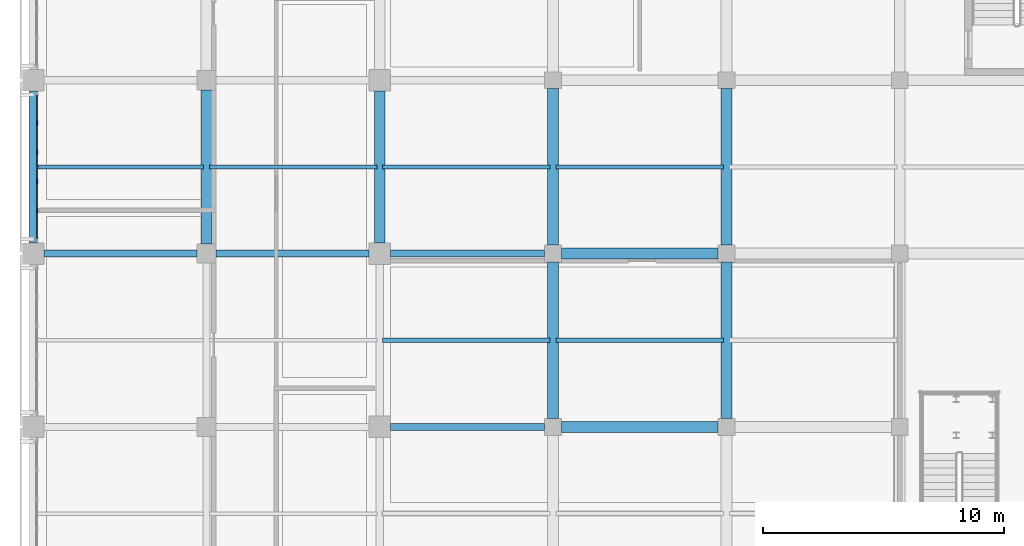
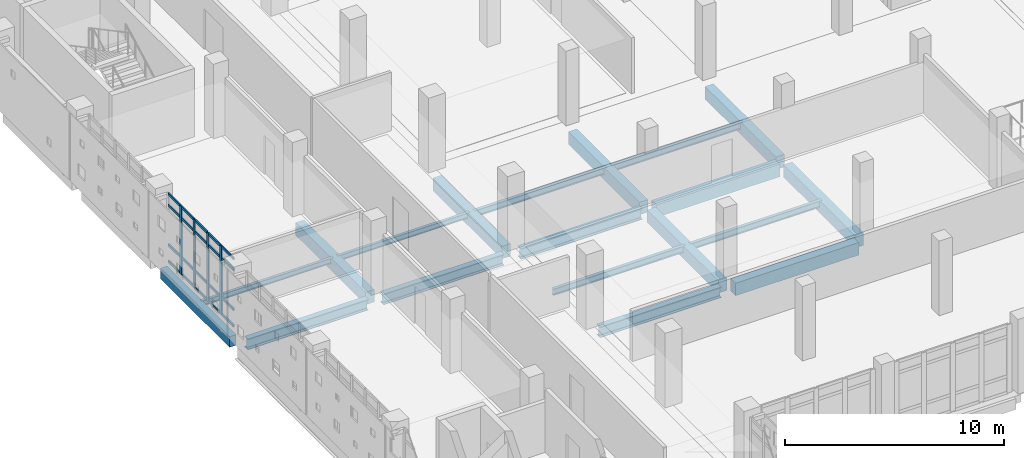
# One storey, part 8 of 57: 24 members, 19 beams, 1 element without a shape of its own.
"""IFC4 building model written with IfcOpenShell, lengths in metres."""

from ifc_helpers import new_model, si_unit, direction, frame, origin, origin_2d, place, context, subcontext, project, spatial, rectangle, i_section, extrude, material, layer, layer_set, material_profile, profile_set, type_object, element, aggregate, save


model = new_model("IFC4")

# Units and contexts
model_context = context("Model", 3, precision=1e-05, world=origin(), true_north=direction((0.0, 1.0)))
body_context = subcontext(model_context, "Body", "Model", "MODEL_VIEW")
ifc_project = project(units=[si_unit("LENGTHUNIT", "METRE"), si_unit("AREAUNIT", "SQUARE_METRE"), si_unit("VOLUMEUNIT", "CUBIC_METRE"), si_unit("PLANEANGLEUNIT", "RADIAN"), si_unit("MASSUNIT", "GRAM", prefix="KILO")], contexts=[model_context])

# Site, building, storey
site_placement = place(None, origin())
site = spatial("IfcSite", under=ifc_project, at=site_placement, CompositionType="ELEMENT")
building_placement = place(site_placement, origin())
building = spatial("IfcBuilding", under=site, at=building_placement, Name="Valkovuoma Quantum and Materials Research Institute", CompositionType="ELEMENT")
storey_placement = place(building_placement, frame((0.0, 0.0, 4.800048828125)))
storey = spatial("IfcBuildingStorey", under=building, at=storey_placement, Name="L01", CompositionType="ELEMENT", Elevation=4.800048828125)

# Beams
ifc_material_1 = material(Name="Steel S355J2", Category="steel")
ifc_material_profile_1 = material_profile(ifc_material_1, i_section(OverallWidth=0.300048828125, OverallDepth=0.60009765625, WebThickness=0.015380859375, FlangeThickness=0.030029296875, FilletRadius=0.027099609375, at=origin_2d()), Name="Steel S355J2")
ifc_profile_set_1 = profile_set([ifc_material_profile_1], Name="Steel S355J2")
beam_type_1 = type_object("IfcBeamType", Name="Beam-B-HEB600", PredefinedType="BEAM", material=ifc_profile_set_1)
beam_1_placement = place(storey_placement, frame((14.85009765625, 50.39990234375, -0.650146484375), z_axis=(1.0, 0.0, 0.0), x_axis=(0.0, 1.0, 0.0)))
element("IfcBeam", 1, at=beam_1_placement, inside=storey, type_object=beam_type_1, Name="L01 beam X-0599", PredefinedType="BEAM", context=body_context, shape_type="SweptSolid", body=[
    extrude(i_section(OverallWidth=0.300048828125, OverallDepth=0.60009765625, WebThickness=0.015380859375, FlangeThickness=0.030029296875, FilletRadius=0.027099609375, at=origin_2d()), origin(), (0.0, 0.0, 1.0), 6.39990234375),
])
beam_2_placement = place(storey_placement, frame((0.449951171875, 57.60009765625, -0.650146484375), z_axis=(1.0, 0.0, 0.0), x_axis=(0.0, 1.0, 0.0)))
element("IfcBeam", 2, at=beam_2_placement, inside=storey, type_object=beam_type_1, Name="L01 beam X-0608", PredefinedType="BEAM", context=body_context, shape_type="SweptSolid", body=[
    extrude(i_section(OverallWidth=0.300048828125, OverallDepth=0.60009765625, WebThickness=0.015380859375, FlangeThickness=0.030029296875, FilletRadius=0.027099609375, at=origin_2d()), origin(), (0.0, 0.0, 1.0), 6.35009765625),
])
beam_3_placement = place(storey_placement, frame((7.60009765625, 57.60009765625, -0.650146484375), z_axis=(1.0, 0.0, 0.0), x_axis=(0.0, 1.0, 0.0)))
element("IfcBeam", 3, at=beam_3_placement, inside=storey, type_object=beam_type_1, Name="L01 beam X-0609", PredefinedType="BEAM", context=body_context, shape_type="SweptSolid", body=[
    extrude(i_section(OverallWidth=0.300048828125, OverallDepth=0.60009765625, WebThickness=0.015380859375, FlangeThickness=0.030029296875, FilletRadius=0.027099609375, at=origin_2d()), origin(), (0.0, 0.0, 1.0), 6.349853515625),
])
beam_4_placement = place(storey_placement, frame((14.85009765625, 57.60009765625, -0.650146484375), z_axis=(1.0, 0.0, 0.0), x_axis=(0.0, 1.0, 0.0)))
element("IfcBeam", 4, at=beam_4_placement, inside=storey, type_object=beam_type_1, Name="L01 beam X-0610", PredefinedType="BEAM", context=body_context, shape_type="SweptSolid", body=[
    extrude(i_section(OverallWidth=0.300048828125, OverallDepth=0.60009765625, WebThickness=0.015380859375, FlangeThickness=0.030029296875, FilletRadius=0.027099609375, at=origin_2d()), origin(), (0.0, 0.0, 1.0), 6.39990234375),
])
ifc_material_2 = material(Name="Steel S355J2", Category="steel")
ifc_material_profile_2 = material_profile(ifc_material_2, i_section(OverallWidth=0.14990234375, OverallDepth=0.300048828125, WebThickness=0.007080078125, FlangeThickness=0.0107421875, FilletRadius=0.014892578125, at=origin_2d()), Name="Steel S355J2")
ifc_profile_set_2 = profile_set([ifc_material_profile_2], Name="Steel S355J2")
beam_type_2 = type_object("IfcBeamType", Name="Beam-B-JST300", PredefinedType="JOIST", material=ifc_profile_set_2)
for number, where, z_axis, x_axis, name in (
    (5, (0.1201171875, 61.199951171875, -0.5), (1.0, 0.0, 0.0), (0.0, 1.0, 0.0), "L01 floor joist 0904"),
    (6, (7.320068359375, 61.199951171875, -0.5), (1.0, 0.0, 0.0), (0.0, 1.0, 0.0), "L01 floor joist 0905"),
):
    element("IfcBeam", number, at=place(storey_placement, frame(where, z_axis=z_axis, x_axis=x_axis)), inside=storey, type_object=beam_type_2, Name=name, PredefinedType="JOIST", context=body_context, shape_type="SweptSolid", body=[
        extrude(i_section(OverallWidth=0.14990234375, OverallDepth=0.300048828125, WebThickness=0.007080078125, FlangeThickness=0.0107421875, FilletRadius=0.014892578125, at=origin_2d()), origin(), (0.0, 0.0, 1.0), 6.9599609375),
    ])
ifc_material_3 = material(Name="Steel S355J2", Category="steel")
ifc_material_profile_3 = material_profile(ifc_material_3, i_section(OverallWidth=0.169921875, OverallDepth=0.360107421875, WebThickness=0.008056640625, FlangeThickness=0.0126953125, FilletRadius=0.01806640625, at=origin_2d()), Name="Steel S355J2")
ifc_profile_set_3 = profile_set([ifc_material_profile_3], Name="Steel S355J2")
beam_type_3 = type_object("IfcBeamType", Name="Beam-B-JST360", PredefinedType="JOIST", material=ifc_profile_set_3)
for number, where, z_axis, x_axis, name in (
    (7, (14.52001953125, 54.0, -0.530029296875), (1.0, 0.0, 0.0), (0.0, 1.0, 0.0), "L01 floor joist 0895"),
    (8, (21.719970703125, 54.0, -0.530029296875), (1.0, 0.0, 0.0), (0.0, 1.0, 0.0), "L01 floor joist 0896"),
    (9, (14.52001953125, 61.199951171875, -0.530029296875), (1.0, 0.0, 0.0), (0.0, 1.0, 0.0), "L01 floor joist 0906"),
    (10, (21.719970703125, 61.199951171875, -0.530029296875), (1.0, 0.0, 0.0), (0.0, 1.0, 0.0), "L01 floor joist 0907"),
):
    element("IfcBeam", number, at=place(storey_placement, frame(where, z_axis=z_axis, x_axis=x_axis)), inside=storey, type_object=beam_type_3, Name=name, PredefinedType="JOIST", context=body_context, shape_type="SweptSolid", body=[
        extrude(i_section(OverallWidth=0.169921875, OverallDepth=0.360107421875, WebThickness=0.008056640625, FlangeThickness=0.0126953125, FilletRadius=0.01806640625, at=origin_2d()), origin(), (0.0, 0.0, 1.0), 6.9599609375),
    ])
ifc_material_4 = material(Name="Concrete C40/50", Category="concrete")
ifc_material_profile_4 = material_profile(ifc_material_4, rectangle(XDim=0.449951171875, YDim=0.699951171875, at=origin_2d()), Name="Concrete C40/50")
ifc_profile_set_4 = profile_set([ifc_material_profile_4], Name="Concrete C40/50")
beam_type_4 = type_object("IfcBeamType", Name="Beam-B-RC700", PredefinedType="BEAM", material=ifc_profile_set_4)
for number, where, z_axis, x_axis, name in (
    (11, (21.949951171875, 50.39990234375, -0.699951171875), (1.0, 0.0, 0.0), (0.0, 1.0, 0.0), "L01 beam X-0600"),
    (12, (21.949951171875, 57.60009765625, -0.699951171875), (1.0, 0.0, 0.0), (0.0, 1.0, 0.0), "L01 beam X-0611"),
):
    element("IfcBeam", number, at=place(storey_placement, frame(where, z_axis=z_axis, x_axis=x_axis)), inside=storey, type_object=beam_type_4, Name=name, PredefinedType="BEAM", context=body_context, shape_type="SweptSolid", body=[
        extrude(rectangle(XDim=0.449951171875, YDim=0.699951171875, at=origin_2d()), origin(), (0.0, 0.0, 1.0), 6.5),
    ])
beam_5_placement = place(storey_placement, frame((7.199951171875, 58.0, -0.699951171875), z_axis=(0.0, 1.0, 0.0), x_axis=(-1.0, 0.0, 0.0)))
element("IfcBeam", 13, at=beam_5_placement, inside=storey, type_object=beam_type_4, Name="L01 beam Y-0721", PredefinedType="BEAM", context=body_context, shape_type="SweptSolid", body=[
    extrude(rectangle(XDim=0.449951171875, YDim=0.699951171875, at=origin_2d()), origin(), (0.0, 0.0, 1.0), 6.39990234375),
])
beam_6_placement = place(storey_placement, frame((14.39990234375, 58.050048828125, -0.699951171875), z_axis=(0.0, 1.0, 0.0), x_axis=(-1.0, 0.0, 0.0)))
element("IfcBeam", 14, at=beam_6_placement, inside=storey, type_object=beam_type_4, Name="L01 beam Y-0724", PredefinedType="BEAM", context=body_context, shape_type="SweptSolid", body=[
    extrude(rectangle(XDim=0.449951171875, YDim=0.699951171875, at=origin_2d()), origin(), (0.0, 0.0, 1.0), 6.300048828125),
])
for number, where, z_axis, x_axis, name in (
    (15, (21.60009765625, 50.75, -0.699951171875), (0.0, 1.0, 0.0), (-1.0, 0.0, 0.0), "L01 beam Y-0733"),
    (16, (21.60009765625, 57.949951171875, -0.699951171875), (0.0, 1.0, 0.0), (-1.0, 0.0, 0.0), "L01 beam Y-0734"),
    (17, (28.800048828125, 50.75, -0.699951171875), (0.0, 1.0, 0.0), (-1.0, 0.0, 0.0), "L01 beam Y-0743"),
    (18, (28.800048828125, 57.949951171875, -0.699951171875), (0.0, 1.0, 0.0), (-1.0, 0.0, 0.0), "L01 beam Y-0744"),
):
    element("IfcBeam", number, at=place(storey_placement, frame(where, z_axis=z_axis, x_axis=x_axis)), inside=storey, type_object=beam_type_4, Name=name, PredefinedType="BEAM", context=body_context, shape_type="SweptSolid", body=[
        extrude(rectangle(XDim=0.449951171875, YDim=0.699951171875, at=origin_2d()), origin(), (0.0, 0.0, 1.0), 6.5),
    ])
ifc_material_5 = material(Name="Concrete C40/50", Category="concrete")
ifc_material_profile_5 = material_profile(ifc_material_5, rectangle(XDim=0.35009765625, YDim=0.60009765625, at=origin_2d()), Name="Concrete C40/50")
ifc_profile_set_5 = profile_set([ifc_material_profile_5], Name="Concrete C40/50")
beam_type_5 = type_object("IfcBeamType", Name="Beam-B-SPN600", PredefinedType="SPANDREL", material=ifc_profile_set_5)
beam_7_placement = place(storey_placement, frame((0.0, 58.050048828125, -0.650146484375), z_axis=(0.0, 1.0, 0.0), x_axis=(-1.0, 0.0, 0.0)))
element("IfcBeam", 19, at=beam_7_placement, inside=storey, type_object=beam_type_5, Name="L01 beam Y-0716", PredefinedType="SPANDREL", context=body_context, shape_type="SweptSolid", body=[
    extrude(rectangle(XDim=0.35009765625, YDim=0.60009765625, at=origin_2d()), origin(), (0.0, 0.0, 1.0), 6.300048828125),
])

# Curtain wall, members
ifc_material_6 = material(Name="Thermally broken aluminium and triple low-E glazing", Category="aluminium")
ifc_layer = layer(ifc_material_6, 0.219970703125)
ifc_layer_set = layer_set([ifc_layer], Name="Thermally broken aluminium and triple low-E glazing")
curtain_wall_type = type_object("IfcCurtainWallType", Name="CW-CW-01", PredefinedType="NOTDEFINED", material=ifc_layer_set)
curtain_wall_placement = place(storey_placement, origin())
curtain_wall = element("IfcCurtainWall", 20, at=curtain_wall_placement, inside=storey, type_object=curtain_wall_type, Name="L01 curtain wall 014", PredefinedType="NOTDEFINED")
ifc_material_7 = material(Name="Anodised aluminium 6060-T66", Category="aluminium")
ifc_material_profile_6 = material_profile(ifc_material_7, rectangle(XDim=0.06494140625, YDim=0.179931640625, at=origin_2d()), Name="Anodised aluminium 6060-T66")
ifc_profile_set_6 = profile_set([ifc_material_profile_6], Name="Anodised aluminium 6060-T66")
member_type_1 = type_object("IfcMemberType", Name="CWMull-CWM-01", PredefinedType="MULLION", material=ifc_profile_set_6)
member_1_placement = place(storey_placement, frame((0.14990234375, 59.374267578125, 0.0), z_axis=(0.0, 0.0, 1.0), x_axis=(-1.0, 0.0, 0.0)))
member_1 = element("IfcMember", 21, at=member_1_placement, type_object=member_type_1, Name="CW-01 mullion 2", PredefinedType="MULLION", context=body_context, shape_type="SweptSolid", body=[
    extrude(rectangle(XDim=0.06494140625, YDim=0.179931640625, at=origin_2d()), origin(), (0.0, 0.0, 1.0), 3.81005859375),
])
member_2_placement = place(storey_placement, frame((0.14990234375, 60.59130859375, 0.0), z_axis=(0.0, 0.0, 1.0), x_axis=(-1.0, 0.0, 0.0)))
member_2 = element("IfcMember", 22, at=member_2_placement, type_object=member_type_1, Name="CW-01 mullion 3", PredefinedType="MULLION", context=body_context, shape_type="SweptSolid", body=[
    extrude(rectangle(XDim=0.06494140625, YDim=0.179931640625, at=origin_2d()), origin(), (0.0, 0.0, 1.0), 3.81005859375),
])
member_3_placement = place(storey_placement, frame((0.14990234375, 61.80859375, 0.0), z_axis=(0.0, 0.0, 1.0), x_axis=(-1.0, 0.0, 0.0)))
member_3 = element("IfcMember", 23, at=member_3_placement, type_object=member_type_1, Name="CW-01 mullion 4", PredefinedType="MULLION", context=body_context, shape_type="SweptSolid", body=[
    extrude(rectangle(XDim=0.06494140625, YDim=0.179931640625, at=origin_2d()), origin(), (0.0, 0.0, 1.0), 3.81005859375),
])
member_4_placement = place(storey_placement, frame((0.14990234375, 63.025634765625, 0.0), z_axis=(0.0, 0.0, 1.0), x_axis=(-1.0, 0.0, 0.0)))
member_4 = element("IfcMember", 24, at=member_4_placement, type_object=member_type_1, Name="CW-01 mullion 5", PredefinedType="MULLION", context=body_context, shape_type="SweptSolid", body=[
    extrude(rectangle(XDim=0.06494140625, YDim=0.179931640625, at=origin_2d()), origin(), (0.0, 0.0, 1.0), 3.81005859375),
])
ifc_material_8 = material(Name="Anodised aluminium 6060-T66", Category="aluminium")
ifc_material_profile_7 = material_profile(ifc_material_8, rectangle(XDim=0.06494140625, YDim=0.139892578125, at=origin_2d()), Name="Anodised aluminium 6060-T66")
ifc_profile_set_7 = profile_set([ifc_material_profile_7], Name="Anodised aluminium 6060-T66")
member_type_2 = type_object("IfcMemberType", Name="CWTran-CWT-01", PredefinedType="USERDEFINED", material=ifc_profile_set_7)
member_5_placement = place(storey_placement, frame((0.14990234375, 58.22216796875, 0.032470703125), z_axis=(0.0, 1.0, 0.0), x_axis=(-1.0, 0.0, 0.0)))
member_5 = element("IfcMember", 25, at=member_5_placement, type_object=member_type_2, Name="CW-01 transom 1.1", ObjectType="TRANSOM", PredefinedType="USERDEFINED", context=body_context, shape_type="SweptSolid", body=[
    extrude(rectangle(XDim=0.06494140625, YDim=0.139892578125, at=origin_2d()), origin(), (0.0, 0.0, 1.0), 1.11962890625),
])
member_6_placement = place(storey_placement, frame((0.14990234375, 58.22216796875, 0.949951171875), z_axis=(0.0, 1.0, 0.0), x_axis=(-1.0, 0.0, 0.0)))
member_6 = element("IfcMember", 26, at=member_6_placement, type_object=member_type_2, Name="CW-01 transom 1.2", ObjectType="TRANSOM", PredefinedType="USERDEFINED", context=body_context, shape_type="SweptSolid", body=[
    extrude(rectangle(XDim=0.06494140625, YDim=0.139892578125, at=origin_2d()), origin(), (0.0, 0.0, 1.0), 1.11962890625),
])
member_7_placement = place(storey_placement, frame((0.14990234375, 58.22216796875, 3.159912109375), z_axis=(0.0, 1.0, 0.0), x_axis=(-1.0, 0.0, 0.0)))
member_7 = element("IfcMember", 27, at=member_7_placement, type_object=member_type_2, Name="CW-01 transom 1.3", ObjectType="TRANSOM", PredefinedType="USERDEFINED", context=body_context, shape_type="SweptSolid", body=[
    extrude(rectangle(XDim=0.06494140625, YDim=0.139892578125, at=origin_2d()), origin(), (0.0, 0.0, 1.0), 1.11962890625),
])
member_8_placement = place(storey_placement, frame((0.14990234375, 58.22216796875, 3.77734375), z_axis=(0.0, 1.0, 0.0), x_axis=(-1.0, 0.0, 0.0)))
member_8 = element("IfcMember", 28, at=member_8_placement, type_object=member_type_2, Name="CW-01 transom 1.4", ObjectType="TRANSOM", PredefinedType="USERDEFINED", context=body_context, shape_type="SweptSolid", body=[
    extrude(rectangle(XDim=0.06494140625, YDim=0.139892578125, at=origin_2d()), origin(), (0.0, 0.0, 1.0), 1.11962890625),
])
member_9_placement = place(storey_placement, frame((0.14990234375, 59.40673828125, 0.032470703125), z_axis=(0.0, 1.0, 0.0), x_axis=(-1.0, 0.0, 0.0)))
member_9 = element("IfcMember", 29, at=member_9_placement, type_object=member_type_2, Name="CW-01 transom 2.1", ObjectType="TRANSOM", PredefinedType="USERDEFINED", context=body_context, shape_type="SweptSolid", body=[
    extrude(rectangle(XDim=0.06494140625, YDim=0.139892578125, at=origin_2d()), origin(), (0.0, 0.0, 1.0), 1.152099609375),
])
member_10_placement = place(storey_placement, frame((0.14990234375, 59.40673828125, 0.949951171875), z_axis=(0.0, 1.0, 0.0), x_axis=(-1.0, 0.0, 0.0)))
member_10 = element("IfcMember", 30, at=member_10_placement, type_object=member_type_2, Name="CW-01 transom 2.2", ObjectType="TRANSOM", PredefinedType="USERDEFINED", context=body_context, shape_type="SweptSolid", body=[
    extrude(rectangle(XDim=0.06494140625, YDim=0.139892578125, at=origin_2d()), origin(), (0.0, 0.0, 1.0), 1.152099609375),
])
member_11_placement = place(storey_placement, frame((0.14990234375, 59.40673828125, 3.159912109375), z_axis=(0.0, 1.0, 0.0), x_axis=(-1.0, 0.0, 0.0)))
member_11 = element("IfcMember", 31, at=member_11_placement, type_object=member_type_2, Name="CW-01 transom 2.3", ObjectType="TRANSOM", PredefinedType="USERDEFINED", context=body_context, shape_type="SweptSolid", body=[
    extrude(rectangle(XDim=0.06494140625, YDim=0.139892578125, at=origin_2d()), origin(), (0.0, 0.0, 1.0), 1.152099609375),
])
member_12_placement = place(storey_placement, frame((0.14990234375, 59.40673828125, 3.77734375), z_axis=(0.0, 1.0, 0.0), x_axis=(-1.0, 0.0, 0.0)))
member_12 = element("IfcMember", 32, at=member_12_placement, type_object=member_type_2, Name="CW-01 transom 2.4", ObjectType="TRANSOM", PredefinedType="USERDEFINED", context=body_context, shape_type="SweptSolid", body=[
    extrude(rectangle(XDim=0.06494140625, YDim=0.139892578125, at=origin_2d()), origin(), (0.0, 0.0, 1.0), 1.152099609375),
])
member_13_placement = place(storey_placement, frame((0.14990234375, 60.6240234375, 0.032470703125), z_axis=(0.0, 1.0, 0.0), x_axis=(-1.0, 0.0, 0.0)))
member_13 = element("IfcMember", 33, at=member_13_placement, type_object=member_type_2, Name="CW-01 transom 3.1", ObjectType="TRANSOM", PredefinedType="USERDEFINED", context=body_context, shape_type="SweptSolid", body=[
    extrude(rectangle(XDim=0.06494140625, YDim=0.139892578125, at=origin_2d()), origin(), (0.0, 0.0, 1.0), 1.152099609375),
])
member_14_placement = place(storey_placement, frame((0.14990234375, 60.6240234375, 0.949951171875), z_axis=(0.0, 1.0, 0.0), x_axis=(-1.0, 0.0, 0.0)))
member_14 = element("IfcMember", 34, at=member_14_placement, type_object=member_type_2, Name="CW-01 transom 3.2", ObjectType="TRANSOM", PredefinedType="USERDEFINED", context=body_context, shape_type="SweptSolid", body=[
    extrude(rectangle(XDim=0.06494140625, YDim=0.139892578125, at=origin_2d()), origin(), (0.0, 0.0, 1.0), 1.152099609375),
])
member_15_placement = place(storey_placement, frame((0.14990234375, 60.6240234375, 3.159912109375), z_axis=(0.0, 1.0, 0.0), x_axis=(-1.0, 0.0, 0.0)))
member_15 = element("IfcMember", 35, at=member_15_placement, type_object=member_type_2, Name="CW-01 transom 3.3", ObjectType="TRANSOM", PredefinedType="USERDEFINED", context=body_context, shape_type="SweptSolid", body=[
    extrude(rectangle(XDim=0.06494140625, YDim=0.139892578125, at=origin_2d()), origin(), (0.0, 0.0, 1.0), 1.152099609375),
])
member_16_placement = place(storey_placement, frame((0.14990234375, 60.6240234375, 3.77734375), z_axis=(0.0, 1.0, 0.0), x_axis=(-1.0, 0.0, 0.0)))
member_16 = element("IfcMember", 36, at=member_16_placement, type_object=member_type_2, Name="CW-01 transom 3.4", ObjectType="TRANSOM", PredefinedType="USERDEFINED", context=body_context, shape_type="SweptSolid", body=[
    extrude(rectangle(XDim=0.06494140625, YDim=0.139892578125, at=origin_2d()), origin(), (0.0, 0.0, 1.0), 1.152099609375),
])
member_17_placement = place(storey_placement, frame((0.14990234375, 61.841064453125, 0.032470703125), z_axis=(0.0, 1.0, 0.0), x_axis=(-1.0, 0.0, 0.0)))
member_17 = element("IfcMember", 37, at=member_17_placement, type_object=member_type_2, Name="CW-01 transom 4.1", ObjectType="TRANSOM", PredefinedType="USERDEFINED", context=body_context, shape_type="SweptSolid", body=[
    extrude(rectangle(XDim=0.06494140625, YDim=0.139892578125, at=origin_2d()), origin(), (0.0, 0.0, 1.0), 1.152099609375),
])
member_18_placement = place(storey_placement, frame((0.14990234375, 61.841064453125, 0.949951171875), z_axis=(0.0, 1.0, 0.0), x_axis=(-1.0, 0.0, 0.0)))
member_18 = element("IfcMember", 38, at=member_18_placement, type_object=member_type_2, Name="CW-01 transom 4.2", ObjectType="TRANSOM", PredefinedType="USERDEFINED", context=body_context, shape_type="SweptSolid", body=[
    extrude(rectangle(XDim=0.06494140625, YDim=0.139892578125, at=origin_2d()), origin(), (0.0, 0.0, 1.0), 1.152099609375),
])
member_19_placement = place(storey_placement, frame((0.14990234375, 61.841064453125, 3.159912109375), z_axis=(0.0, 1.0, 0.0), x_axis=(-1.0, 0.0, 0.0)))
member_19 = element("IfcMember", 39, at=member_19_placement, type_object=member_type_2, Name="CW-01 transom 4.3", ObjectType="TRANSOM", PredefinedType="USERDEFINED", context=body_context, shape_type="SweptSolid", body=[
    extrude(rectangle(XDim=0.06494140625, YDim=0.139892578125, at=origin_2d()), origin(), (0.0, 0.0, 1.0), 1.152099609375),
])
member_20_placement = place(storey_placement, frame((0.14990234375, 61.841064453125, 3.77734375), z_axis=(0.0, 1.0, 0.0), x_axis=(-1.0, 0.0, 0.0)))
member_20 = element("IfcMember", 40, at=member_20_placement, type_object=member_type_2, Name="CW-01 transom 4.4", ObjectType="TRANSOM", PredefinedType="USERDEFINED", context=body_context, shape_type="SweptSolid", body=[
    extrude(rectangle(XDim=0.06494140625, YDim=0.139892578125, at=origin_2d()), origin(), (0.0, 0.0, 1.0), 1.152099609375),
])
member_21_placement = place(storey_placement, frame((0.14990234375, 63.058349609375, 0.032470703125), z_axis=(0.0, 1.0, 0.0), x_axis=(-1.0, 0.0, 0.0)))
member_21 = element("IfcMember", 41, at=member_21_placement, type_object=member_type_2, Name="CW-01 transom 5.1", ObjectType="TRANSOM", PredefinedType="USERDEFINED", context=body_context, shape_type="SweptSolid", body=[
    extrude(rectangle(XDim=0.06494140625, YDim=0.139892578125, at=origin_2d()), origin(), (0.0, 0.0, 1.0), 1.11962890625),
])
member_22_placement = place(storey_placement, frame((0.14990234375, 63.058349609375, 0.949951171875), z_axis=(0.0, 1.0, 0.0), x_axis=(-1.0, 0.0, 0.0)))
member_22 = element("IfcMember", 42, at=member_22_placement, type_object=member_type_2, Name="CW-01 transom 5.2", ObjectType="TRANSOM", PredefinedType="USERDEFINED", context=body_context, shape_type="SweptSolid", body=[
    extrude(rectangle(XDim=0.06494140625, YDim=0.139892578125, at=origin_2d()), origin(), (0.0, 0.0, 1.0), 1.11962890625),
])
member_23_placement = place(storey_placement, frame((0.14990234375, 63.058349609375, 3.159912109375), z_axis=(0.0, 1.0, 0.0), x_axis=(-1.0, 0.0, 0.0)))
member_23 = element("IfcMember", 43, at=member_23_placement, type_object=member_type_2, Name="CW-01 transom 5.3", ObjectType="TRANSOM", PredefinedType="USERDEFINED", context=body_context, shape_type="SweptSolid", body=[
    extrude(rectangle(XDim=0.06494140625, YDim=0.139892578125, at=origin_2d()), origin(), (0.0, 0.0, 1.0), 1.11962890625),
])
member_24_placement = place(storey_placement, frame((0.14990234375, 63.058349609375, 3.77734375), z_axis=(0.0, 1.0, 0.0), x_axis=(-1.0, 0.0, 0.0)))
member_24 = element("IfcMember", 44, at=member_24_placement, type_object=member_type_2, Name="CW-01 transom 5.4", ObjectType="TRANSOM", PredefinedType="USERDEFINED", context=body_context, shape_type="SweptSolid", body=[
    extrude(rectangle(XDim=0.06494140625, YDim=0.139892578125, at=origin_2d()), origin(), (0.0, 0.0, 1.0), 1.11962890625),
])
aggregate(curtain_wall, [member_1, member_2, member_3, member_4, member_5, member_6, member_7, member_8, member_9, member_10, member_11, member_12, member_13, member_14, member_15, member_16, member_17, member_18, member_19, member_20, member_21, member_22, member_23, member_24])

save(model, "model.ifc")
